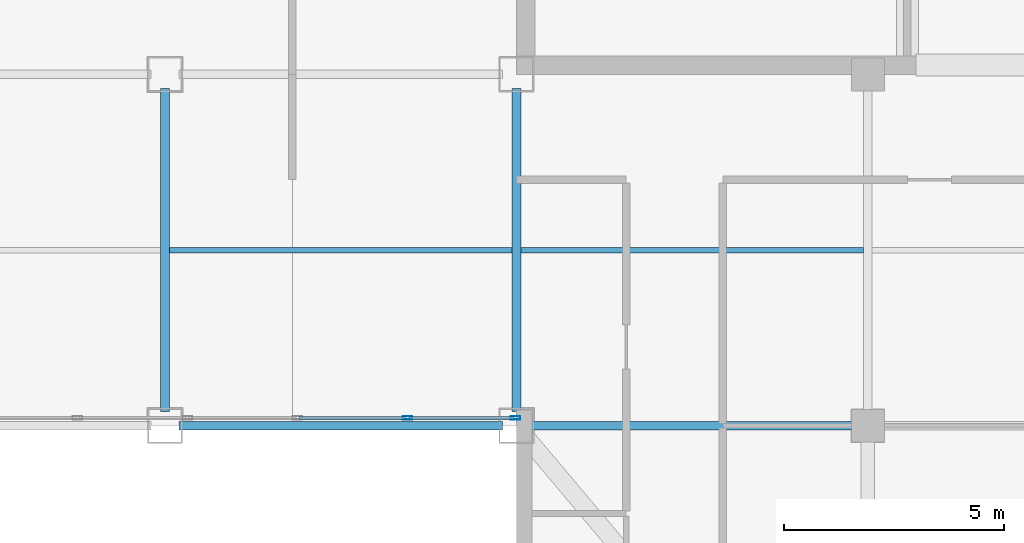
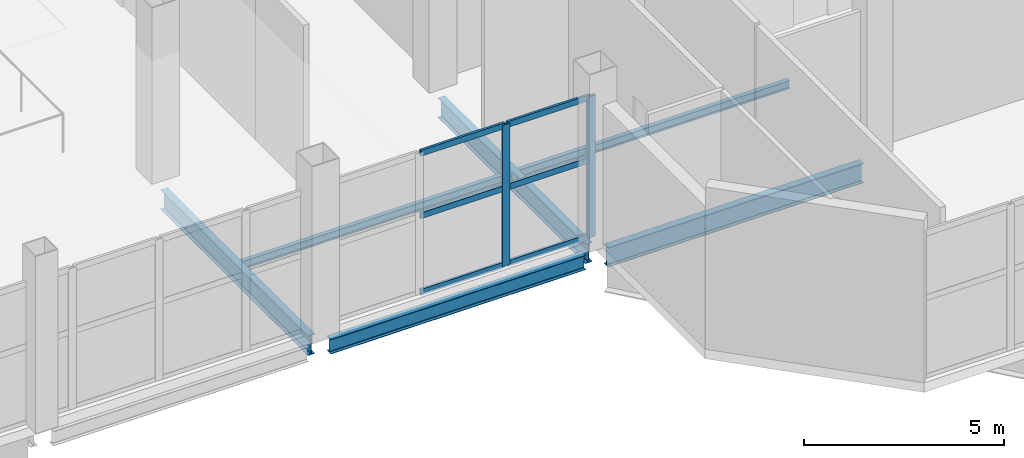
# One storey, part 4 of 16: 8 members, 6 beams, 1 element without a shape of its own.
"""IFC4 building model written with IfcOpenShell, lengths in metres."""

from ifc_helpers import new_model, si_unit, direction, frame, origin, origin_2d, place, context, subcontext, project, spatial, hollow_rectangle, i_section, extrude, material, layer, layer_set, material_profile, profile_set, type_object, element, aggregate, save


model = new_model("IFC4")

# Units and contexts
model_context = context("Model", 3, precision=1e-05, world=origin(), true_north=direction((0.0, 1.0)))
body_context = subcontext(model_context, "Body", "Model", "MODEL_VIEW")
ifc_project = project(units=[si_unit("LENGTHUNIT", "METRE"), si_unit("AREAUNIT", "SQUARE_METRE"), si_unit("VOLUMEUNIT", "CUBIC_METRE"), si_unit("PLANEANGLEUNIT", "RADIAN"), si_unit("MASSUNIT", "GRAM", prefix="KILO")], contexts=[model_context])

# Site, building, storey
site_placement = place(None, origin())
site = spatial("IfcSite", under=ifc_project, at=site_placement, CompositionType="ELEMENT")
building_placement = place(site_placement, origin())
building = spatial("IfcBuilding", under=site, at=building_placement, Name="Qianrong Seaharbour Tower", CompositionType="ELEMENT")
storey_placement = place(building_placement, frame((0.0, 0.0, 378.39990234375)))
storey = spatial("IfcBuildingStorey", under=building, at=storey_placement, Name="L91", CompositionType="ELEMENT", Elevation=378.39990234375)

# Beams
ifc_material_1 = material(Name="Structural steel SN490B", Category="steel")
ifc_material_profile_1 = material_profile(ifc_material_1, i_section(OverallWidth=0.199951171875, OverallDepth=0.60009765625, WebThickness=0.010986328125, FlangeThickness=0.01708984375, FilletRadius=0.02197265625, at=origin_2d()), Name="H600x200x11x17")
ifc_profile_set_1 = profile_set([ifc_material_profile_1], Name="Structural steel SN490B")
beam_type_1 = type_object("IfcBeamType", Name="BM-G-600", PredefinedType="BEAM", material=ifc_profile_set_1)
for number, where, z_axis, x_axis, name in (
    (1, (40.820068359375, 28.0, -0.58984375), (1.0, 0.0, 0.0), (0.0, 1.0, 0.0), "L91 Primary Girder GE G6-G7"),
    (2, (32.5, 28.320068359375, -0.58984375), (0.0, 1.0, 0.0), (-1.0, 0.0, 0.0), "L91 Primary Girder G5 GE-GF"),
    (3, (40.5, 28.320068359375, -0.58984375), (0.0, 1.0, 0.0), (-1.0, 0.0, 0.0), "L91 Primary Girder G6 GE-GF"),
):
    element("IfcBeam", number, at=place(storey_placement, frame(where, z_axis=z_axis, x_axis=x_axis)), inside=storey, type_object=beam_type_1, Name=name, PredefinedType="BEAM", context=body_context, shape_type="SweptSolid", body=[
        extrude(i_section(OverallWidth=0.199951171875, OverallDepth=0.60009765625, WebThickness=0.010986328125, FlangeThickness=0.01708984375, FilletRadius=0.02197265625, at=origin_2d()), origin(), (0.0, 0.0, 1.0), 7.35986328125),
    ])
ifc_material_2 = material(Name="Structural steel SN400B", Category="steel")
ifc_material_profile_2 = material_profile(ifc_material_2, i_section(OverallWidth=0.125, OverallDepth=0.25, WebThickness=0.006103515625, FlangeThickness=0.009033203125, FilletRadius=0.011962890625, at=origin_2d()), Name="H250x125x6x9")
ifc_profile_set_2 = profile_set([ifc_material_profile_2], Name="Structural steel SN400B")
beam_type_2 = type_object("IfcBeamType", Name="BM-J-250", PredefinedType="JOIST", material=ifc_profile_set_2)
for number, where, z_axis, x_axis, name in (
    (4, (32.60009765625, 32.0, -0.414794921875), (1.0, 0.0, 0.0), (0.0, 1.0, 0.0), "L91 Composite Floor Joist G5-G6/GE-GF"),
    (5, (40.60009765625, 32.0, -0.414794921875), (1.0, 0.0, 0.0), (0.0, 1.0, 0.0), "L91 Composite Floor Joist G6-G7/GE-GF"),
):
    element("IfcBeam", number, at=place(storey_placement, frame(where, z_axis=z_axis, x_axis=x_axis)), inside=storey, type_object=beam_type_2, Name=name, PredefinedType="JOIST", context=body_context, shape_type="SweptSolid", body=[
        extrude(i_section(OverallWidth=0.125, OverallDepth=0.25, WebThickness=0.006103515625, FlangeThickness=0.009033203125, FilletRadius=0.011962890625, at=origin_2d()), origin(), (0.0, 0.0, 1.0), 7.7998046875),
    ])
ifc_material_profile_3 = material_profile(ifc_material_2, i_section(OverallWidth=0.199951171875, OverallDepth=0.449951171875, WebThickness=0.009033203125, FlangeThickness=0.013916015625, FilletRadius=0.01806640625, at=origin_2d()), Name="H450x200x9x14")
ifc_profile_set_3 = profile_set([ifc_material_profile_3], Name="Structural steel SN400B")
beam_type_3 = type_object("IfcBeamType", Name="BM-SP-450", PredefinedType="SPANDREL", material=ifc_profile_set_3)
beam_placement = place(storey_placement, frame((32.820068359375, 28.0, -0.514892578125), z_axis=(1.0, 0.0, 0.0), x_axis=(0.0, 1.0, 0.0)))
element("IfcBeam", 6, at=beam_placement, inside=storey, type_object=beam_type_3, Name="L91 Spandrel Girder GE G5-G6", PredefinedType="SPANDREL", context=body_context, shape_type="SweptSolid", body=[
    extrude(i_section(OverallWidth=0.199951171875, OverallDepth=0.449951171875, WebThickness=0.009033203125, FlangeThickness=0.013916015625, FilletRadius=0.01806640625, at=origin_2d()), origin(), (0.0, 0.0, 1.0), 7.35986328125),
])

# Curtain wall, members
ifc_material_3 = material(Name="Anodised aluminium 6063-T6 and laminated low-e glass", Category="aluminium")
ifc_layer = layer(ifc_material_3, 0.239990234375)
ifc_layer_set = layer_set([ifc_layer], Name="Anodised aluminium 6063-T6 and laminated low-e glass")
curtain_wall_type = type_object("IfcCurtainWallType", Name="CW-SYS-6", PredefinedType="NOTDEFINED", material=ifc_layer_set)
curtain_wall_placement = place(storey_placement, origin())
curtain_wall = element("IfcCurtainWall", 7, at=curtain_wall_placement, inside=storey, type_object=curtain_wall_type, Name="L91 TMD Exhibition Lantern Translucent Curtain Wall HARBOUR_RIBBON", PredefinedType="NOTDEFINED")
ifc_material_4 = material(Name="Extruded aluminium 6063-T6", Category="aluminium")
ifc_material_profile_4 = material_profile(ifc_material_4, hollow_rectangle(XDim=0.080078125, YDim=0.219970703125, WallThickness=0.0048828125, at=origin_2d()), Name="ALU-MUL-220x80x5")
ifc_profile_set_4 = profile_set([ifc_material_profile_4], Name="Extruded aluminium 6063-T6")
member_type_1 = type_object("IfcMemberType", Name="CW-MUL-220", PredefinedType="MULLION", material=ifc_profile_set_4)
member_1_placement = place(storey_placement, frame((40.47998046875, 28.179931640625, 0.0), z_axis=(0.0, 0.0, 1.0), x_axis=(0.0, -1.0, 0.0)))
member_1 = element("IfcMember", 8, at=member_1_placement, type_object=member_type_1, Name="CW-6 mullion 1", PredefinedType="MULLION", context=body_context, shape_type="SweptSolid", body=[
    extrude(hollow_rectangle(XDim=0.080078125, YDim=0.219970703125, WallThickness=0.0048828125, at=origin_2d()), origin(), (0.0, 0.0, 1.0), 4.31005859375),
])
member_2_placement = place(storey_placement, frame((38.017578125, 28.179931640625, 0.0), z_axis=(0.0, 0.0, 1.0), x_axis=(0.0, -1.0, 0.0)))
member_2 = element("IfcMember", 9, at=member_2_placement, type_object=member_type_1, Name="CW-6 mullion 2", PredefinedType="MULLION", context=body_context, shape_type="SweptSolid", body=[
    extrude(hollow_rectangle(XDim=0.080078125, YDim=0.219970703125, WallThickness=0.0048828125, at=origin_2d()), origin(), (0.0, 0.0, 1.0), 4.31005859375),
])
ifc_material_profile_5 = material_profile(ifc_material_4, hollow_rectangle(XDim=0.070068359375, YDim=0.179931640625, WallThickness=0.00390625, at=origin_2d()), Name="ALU-TRN-180x70x4")
ifc_profile_set_5 = profile_set([ifc_material_profile_5], Name="Extruded aluminium 6063-T6")
member_type_2 = type_object("IfcMemberType", Name="CW-TRN-180", PredefinedType="USERDEFINED", material=ifc_profile_set_5)
member_3_placement = place(storey_placement, frame((40.43994140625, 28.179931640625, 0.03515625), z_axis=(-1.0, 0.0, 0.0), x_axis=(0.0, -1.0, 0.0)))
member_3 = element("IfcMember", 10, at=member_3_placement, type_object=member_type_2, Name="CW-6 transom 1.1", ObjectType="TRANSOM", PredefinedType="USERDEFINED", context=body_context, shape_type="SweptSolid", body=[
    extrude(hollow_rectangle(XDim=0.070068359375, YDim=0.179931640625, WallThickness=0.00390625, at=origin_2d()), origin(), (0.0, 0.0, 1.0), 2.38232421875),
])
member_4_placement = place(storey_placement, frame((40.43994140625, 28.179931640625, 2.37060546875), z_axis=(-1.0, 0.0, 0.0), x_axis=(0.0, -1.0, 0.0)))
member_4 = element("IfcMember", 11, at=member_4_placement, type_object=member_type_2, Name="CW-6 transom 1.2", ObjectType="TRANSOM", PredefinedType="USERDEFINED", context=body_context, shape_type="SweptSolid", body=[
    extrude(hollow_rectangle(XDim=0.070068359375, YDim=0.179931640625, WallThickness=0.00390625, at=origin_2d()), origin(), (0.0, 0.0, 1.0), 2.38232421875),
])
member_5_placement = place(storey_placement, frame((40.43994140625, 28.179931640625, 4.275146484375), z_axis=(-1.0, 0.0, 0.0), x_axis=(0.0, -1.0, 0.0)))
member_5 = element("IfcMember", 12, at=member_5_placement, type_object=member_type_2, Name="CW-6 transom 1.3", ObjectType="TRANSOM", PredefinedType="USERDEFINED", context=body_context, shape_type="SweptSolid", body=[
    extrude(hollow_rectangle(XDim=0.070068359375, YDim=0.179931640625, WallThickness=0.00390625, at=origin_2d()), origin(), (0.0, 0.0, 1.0), 2.38232421875),
])
member_6_placement = place(storey_placement, frame((37.9775390625, 28.179931640625, 0.03515625), z_axis=(-1.0, 0.0, 0.0), x_axis=(0.0, -1.0, 0.0)))
member_6 = element("IfcMember", 13, at=member_6_placement, type_object=member_type_2, Name="CW-6 transom 2.1", ObjectType="TRANSOM", PredefinedType="USERDEFINED", context=body_context, shape_type="SweptSolid", body=[
    extrude(hollow_rectangle(XDim=0.070068359375, YDim=0.179931640625, WallThickness=0.00390625, at=origin_2d()), origin(), (0.0, 0.0, 1.0), 2.422607421875),
])
member_7_placement = place(storey_placement, frame((37.9775390625, 28.179931640625, 2.37060546875), z_axis=(-1.0, 0.0, 0.0), x_axis=(0.0, -1.0, 0.0)))
member_7 = element("IfcMember", 14, at=member_7_placement, type_object=member_type_2, Name="CW-6 transom 2.2", ObjectType="TRANSOM", PredefinedType="USERDEFINED", context=body_context, shape_type="SweptSolid", body=[
    extrude(hollow_rectangle(XDim=0.070068359375, YDim=0.179931640625, WallThickness=0.00390625, at=origin_2d()), origin(), (0.0, 0.0, 1.0), 2.422607421875),
])
member_8_placement = place(storey_placement, frame((37.9775390625, 28.179931640625, 4.275146484375), z_axis=(-1.0, 0.0, 0.0), x_axis=(0.0, -1.0, 0.0)))
member_8 = element("IfcMember", 15, at=member_8_placement, type_object=member_type_2, Name="CW-6 transom 2.3", ObjectType="TRANSOM", PredefinedType="USERDEFINED", context=body_context, shape_type="SweptSolid", body=[
    extrude(hollow_rectangle(XDim=0.070068359375, YDim=0.179931640625, WallThickness=0.00390625, at=origin_2d()), origin(), (0.0, 0.0, 1.0), 2.422607421875),
])
aggregate(curtain_wall, [member_1, member_2, member_3, member_4, member_5, member_6, member_7, member_8])

save(model, "model.ifc")
